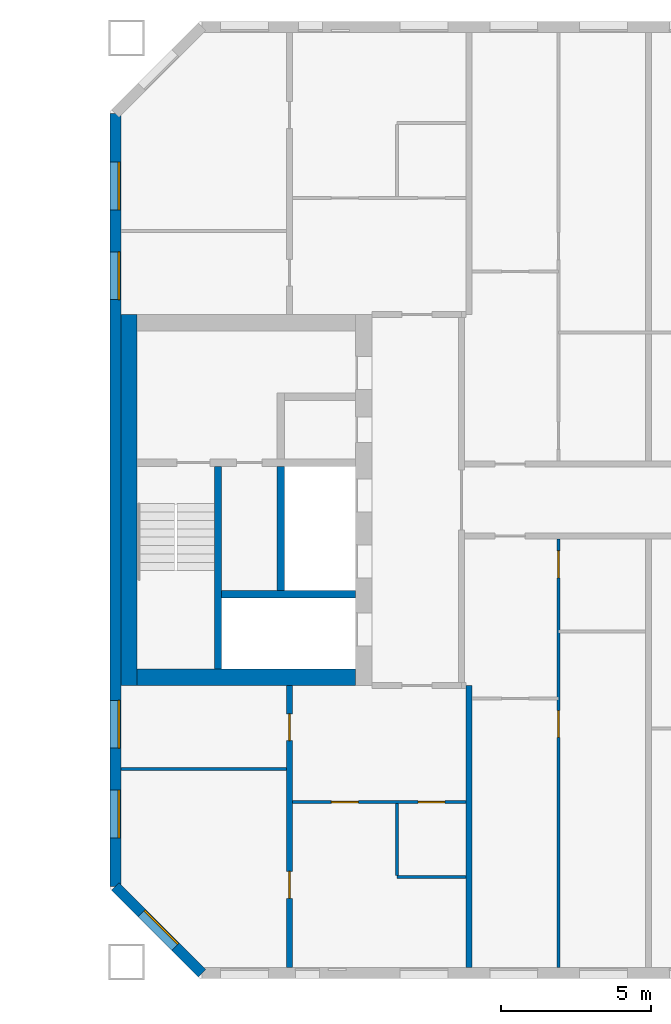
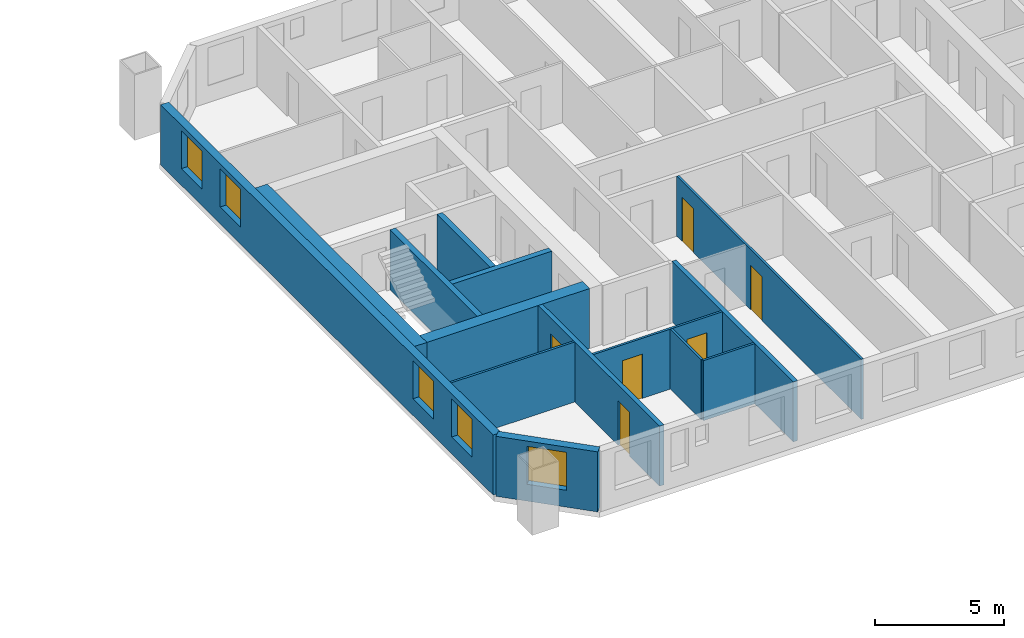
# One storey, part 9 of 17: 14 walls, 6 doors, 5 windows, 11 openings.
"""IFC4 building model written with IfcOpenShell, lengths in metres."""

from ifc_helpers import new_model, si_unit, direction, frame, frame_2d, origin, place, context, subcontext, project, spatial, rectangle, extrude, material, layer, layer_set, type_object, element, fill, save


model = new_model("IFC4")

# Units and contexts
model_context = context("Model", 3, precision=1e-05, world=origin(), true_north=direction((0.0, 1.0)))
body_context = subcontext(model_context, "Body", "Model", "MODEL_VIEW")
ifc_project = project(units=[si_unit("LENGTHUNIT", "METRE"), si_unit("AREAUNIT", "SQUARE_METRE"), si_unit("VOLUMEUNIT", "CUBIC_METRE"), si_unit("PLANEANGLEUNIT", "RADIAN"), si_unit("MASSUNIT", "GRAM", prefix="KILO")], contexts=[model_context])

# Site, building, storey
site_placement = place(None, origin())
site = spatial("IfcSite", under=ifc_project, at=site_placement, CompositionType="ELEMENT")
building_placement = place(site_placement, origin())
building = spatial("IfcBuilding", under=site, at=building_placement, Name="Tuart Gate Housing", CompositionType="ELEMENT")
storey_placement = place(building_placement, frame((0.0, 0.0, 126.800048828125)))
storey = spatial("IfcBuildingStorey", under=building, at=storey_placement, Name="L35", CompositionType="ELEMENT", Elevation=126.800048828125)

# Wall, opening, window
ifc_material_1 = material(Name="Brick", Category="masonry")
ifc_layer_1 = layer(ifc_material_1, 0.360107421875)
ifc_layer_set_1 = layer_set([ifc_layer_1], Name="Brick pier and spandrel wall 360")
wall_type_1 = type_object("IfcWallType", Name="Brick pier and spandrel wall 360", PredefinedType="STANDARD", material=ifc_layer_set_1)
wall_1_placement = place(storey_placement, frame((131.179931640625, 57.07470703125, 0.0), z_axis=(0.0, 0.0, 1.0), x_axis=(0.707106781187, -0.707106781187, 0.0)))
wall_1 = element("IfcWall", 1, at=wall_1_placement, inside=storey, type_object=wall_type_1, Name="External wall B-SW L35", PredefinedType="STANDARD", context=body_context, shape_type="SweptSolid", body=[
    extrude(rectangle(XDim=4.09375, YDim=0.360107421875, at=frame_2d((2.046875, 0.0))), origin(), (0.0, 0.0, 1.0), 2.849853515625),
])
opening_1_placement = place(wall_1_placement, frame((1.2470703125, 0.0, 0.800048828125)))
opening_1 = element("IfcOpeningElement", 2, at=opening_1_placement, cuts=wall_1, Name="Opening W1", PredefinedType="OPENING", context=body_context, shape_type="SweptSolid", body=[
    extrude(rectangle(XDim=1.60009765625, YDim=1.800048828125, at=frame_2d((0.800048828125, 0.89990234375))), frame((0.0, 0.18994140625, 0.0), z_axis=(0.0, -1.0, 0.0), x_axis=(1.0, 0.0, 0.0)), (0.0, 0.0, 1.0), 0.380126953125),
])
ifc_material_2 = material(Name="Aluminium frame with clear glass", Category="aluminium")
window_type = type_object("IfcWindowType", Name="Punched window 1600 x 1800", PartitioningType="SINGLE_PANEL", PredefinedType="WINDOW", material=ifc_material_2)
window_1_placement = place(opening_1_placement, origin())
window_1 = element("IfcWindow", 3, at=window_1_placement, inside=storey, type_object=window_type, Name="Window W1", OverallHeight=1.800048828125, OverallWidth=1.60009765625, PartitioningType="SINGLE_PANEL", PredefinedType="WINDOW", context=body_context, shape_type="SweptSolid", body=[
    extrude(rectangle(XDim=1.60009765625, YDim=1.800048828125, at=frame_2d((0.800048828125, 0.89990234375))), frame((0.0, 0.150146484375, 0.0), z_axis=(0.0, -1.0, 0.0), x_axis=(1.0, 0.0, 0.0)), (0.0, 0.0, 1.0), 0.06005859375),
])
fill(opening_1, window_1)

# Wall, openings, windows
wall_2_placement = place(storey_placement, frame((131.179931640625, 82.92529296875, 0.0), z_axis=(0.0, 0.0, 1.0), x_axis=(0.0, -1.0, 0.0)))
wall_2 = element("IfcWall", 4, at=wall_2_placement, inside=storey, type_object=wall_type_1, Name="External wall B-W L35", PredefinedType="STANDARD", context=body_context, shape_type="SweptSolid", body=[
    extrude(rectangle(XDim=25.850830078125, YDim=0.360107421875, at=frame_2d((12.92529296875, 0.0))), origin(), (0.0, 0.0, 1.0), 2.849853515625),
])
opening_2_placement = place(wall_2_placement, frame((1.62548828125, 0.0, 0.800048828125)))
opening_2 = element("IfcOpeningElement", 5, at=opening_2_placement, cuts=wall_2, Name="Opening W1", PredefinedType="OPENING", context=body_context, shape_type="SweptSolid", body=[
    extrude(rectangle(XDim=1.60009765625, YDim=1.800048828125, at=frame_2d((0.800048828125, 0.89990234375))), frame((0.0, 0.18994140625, 0.0), z_axis=(0.0, -1.0, 0.0), x_axis=(1.0, 0.0, 0.0)), (0.0, 0.0, 1.0), 0.380126953125),
])
opening_3_placement = place(wall_2_placement, frame((4.62548828125, 0.0, 0.800048828125)))
opening_3 = element("IfcOpeningElement", 6, at=opening_3_placement, cuts=wall_2, Name="Opening W1", PredefinedType="OPENING", context=body_context, shape_type="SweptSolid", body=[
    extrude(rectangle(XDim=1.60009765625, YDim=1.800048828125, at=frame_2d((0.800048828125, 0.89990234375))), frame((0.0, 0.18994140625, 0.0), z_axis=(0.0, -1.0, 0.0), x_axis=(1.0, 0.0, 0.0)), (0.0, 0.0, 1.0), 0.380126953125),
])
opening_4_placement = place(wall_2_placement, frame((19.62548828125, 0.0, 0.800048828125)))
opening_4 = element("IfcOpeningElement", 7, at=opening_4_placement, cuts=wall_2, Name="Opening W1", PredefinedType="OPENING", context=body_context, shape_type="SweptSolid", body=[
    extrude(rectangle(XDim=1.60009765625, YDim=1.800048828125, at=frame_2d((0.800048828125, 0.89990234375))), frame((0.0, 0.18994140625, 0.0), z_axis=(0.0, -1.0, 0.0), x_axis=(1.0, 0.0, 0.0)), (0.0, 0.0, 1.0), 0.380126953125),
])
opening_5_placement = place(wall_2_placement, frame((22.62548828125, 0.0, 0.800048828125)))
opening_5 = element("IfcOpeningElement", 8, at=opening_5_placement, cuts=wall_2, Name="Opening W1", PredefinedType="OPENING", context=body_context, shape_type="SweptSolid", body=[
    extrude(rectangle(XDim=1.60009765625, YDim=1.800048828125, at=frame_2d((0.800048828125, 0.89990234375))), frame((0.0, 0.18994140625, 0.0), z_axis=(0.0, -1.0, 0.0), x_axis=(1.0, 0.0, 0.0)), (0.0, 0.0, 1.0), 0.380126953125),
])
window_2_placement = place(opening_2_placement, origin())
window_2 = element("IfcWindow", 9, at=window_2_placement, inside=storey, type_object=window_type, Name="Window W1", OverallHeight=1.800048828125, OverallWidth=1.60009765625, PartitioningType="SINGLE_PANEL", PredefinedType="WINDOW", context=body_context, shape_type="SweptSolid", body=[
    extrude(rectangle(XDim=1.60009765625, YDim=1.800048828125, at=frame_2d((0.800048828125, 0.89990234375))), frame((0.0, 0.150146484375, 0.0), z_axis=(0.0, -1.0, 0.0), x_axis=(1.0, 0.0, 0.0)), (0.0, 0.0, 1.0), 0.06005859375),
])
fill(opening_2, window_2)
window_3_placement = place(opening_3_placement, origin())
window_3 = element("IfcWindow", 10, at=window_3_placement, inside=storey, type_object=window_type, Name="Window W1", OverallHeight=1.800048828125, OverallWidth=1.60009765625, PartitioningType="SINGLE_PANEL", PredefinedType="WINDOW", context=body_context, shape_type="SweptSolid", body=[
    extrude(rectangle(XDim=1.60009765625, YDim=1.800048828125, at=frame_2d((0.800048828125, 0.89990234375))), frame((0.0, 0.150146484375, 0.0), z_axis=(0.0, -1.0, 0.0), x_axis=(1.0, 0.0, 0.0)), (0.0, 0.0, 1.0), 0.06005859375),
])
fill(opening_3, window_3)
window_4_placement = place(opening_4_placement, origin())
window_4 = element("IfcWindow", 11, at=window_4_placement, inside=storey, type_object=window_type, Name="Window W1", OverallHeight=1.800048828125, OverallWidth=1.60009765625, PartitioningType="SINGLE_PANEL", PredefinedType="WINDOW", context=body_context, shape_type="SweptSolid", body=[
    extrude(rectangle(XDim=1.60009765625, YDim=1.800048828125, at=frame_2d((0.800048828125, 0.89990234375))), frame((0.0, 0.150146484375, 0.0), z_axis=(0.0, -1.0, 0.0), x_axis=(1.0, 0.0, 0.0)), (0.0, 0.0, 1.0), 0.06005859375),
])
fill(opening_4, window_4)
window_5_placement = place(opening_5_placement, origin())
window_5 = element("IfcWindow", 12, at=window_5_placement, inside=storey, type_object=window_type, Name="Window W1", OverallHeight=1.800048828125, OverallWidth=1.60009765625, PartitioningType="SINGLE_PANEL", PredefinedType="WINDOW", context=body_context, shape_type="SweptSolid", body=[
    extrude(rectangle(XDim=1.60009765625, YDim=1.800048828125, at=frame_2d((0.800048828125, 0.89990234375))), frame((0.0, 0.150146484375, 0.0), z_axis=(0.0, -1.0, 0.0), x_axis=(1.0, 0.0, 0.0)), (0.0, 0.0, 1.0), 0.06005859375),
])
fill(opening_5, window_5)

# Walls
ifc_material_3 = material(Name="Concrete C50", Category="concrete")
ifc_layer_2 = layer(ifc_material_3, 0.25)
ifc_layer_set_2 = layer_set([ifc_layer_2], Name="Core wall 250 C50")
wall_type_2 = type_object("IfcWallType", Name="Core wall 250 C50", PredefinedType="SHEAR", material=ifc_layer_set_2)
wall_3_placement = place(storey_placement, frame((139.2099609375, 66.85009765625, 0.0), z_axis=(0.0, 0.0, 1.0), x_axis=(-1.0, 0.0, 0.0)))
element("IfcWall", 13, at=wall_3_placement, inside=storey, type_object=wall_type_2, Name="Core wall BG.1", PredefinedType="SHEAR", context=body_context, shape_type="SweptSolid", body=[
    extrude(rectangle(XDim=4.474853515625, YDim=0.25, at=frame_2d((2.2373046875, 0.0))), origin(), (0.0, 0.0, 1.0), 2.849853515625),
])
wall_4_placement = place(storey_placement, frame((136.7099609375, 66.97509765625, 0.0), z_axis=(0.0, 0.0, 1.0), x_axis=(0.0, 1.0, 0.0)))
element("IfcWall", 14, at=wall_4_placement, inside=storey, type_object=wall_type_2, Name="Core wall BG.4", PredefinedType="SHEAR", context=body_context, shape_type="SweptSolid", body=[
    extrude(rectangle(XDim=4.14990234375, YDim=0.25, at=frame_2d((2.074951171875, 0.0))), origin(), (0.0, 0.0, 1.0), 2.849853515625),
])
wall_5_placement = place(storey_placement, frame((134.610107421875, 64.35009765625, 0.0), z_axis=(0.0, 0.0, 1.0), x_axis=(0.0, 1.0, 0.0)))
element("IfcWall", 15, at=wall_5_placement, inside=storey, type_object=wall_type_2, Name="Core wall BG.6", PredefinedType="SHEAR", context=body_context, shape_type="SweptSolid", body=[
    extrude(rectangle(XDim=6.77490234375, YDim=0.25, at=frame_2d((3.387451171875, 0.0))), origin(), (0.0, 0.0, 1.0), 2.849853515625),
])
ifc_material_4 = material(Name="Concrete C50", Category="concrete")
ifc_layer_3 = layer(ifc_material_4, 0.550048828125)
ifc_layer_set_3 = layer_set([ifc_layer_3], Name="Core wall 550 C50")
wall_type_3 = type_object("IfcWallType", Name="Core wall 550 C50", PredefinedType="SHEAR", material=ifc_layer_set_3)
wall_6_placement = place(storey_placement, frame((131.635009765625, 63.800048828125, 0.0), z_axis=(0.0, 0.0, 1.0), x_axis=(0.0, 1.0, 0.0)))
element("IfcWall", 16, at=wall_6_placement, inside=storey, type_object=wall_type_3, Name="Core wall BG back", PredefinedType="SHEAR", context=body_context, shape_type="SweptSolid", body=[
    extrude(rectangle(XDim=12.39990234375, YDim=0.550048828125, at=frame_2d((6.199951171875, 0.0))), origin(), (0.0, 0.0, 1.0), 2.849853515625),
])
wall_7_placement = place(storey_placement, frame((139.2099609375, 64.074951171875, 0.0), z_axis=(0.0, 0.0, 1.0), x_axis=(-1.0, 0.0, 0.0)))
element("IfcWall", 17, at=wall_7_placement, inside=storey, type_object=wall_type_3, Name="Core wall BG south", PredefinedType="SHEAR", context=body_context, shape_type="SweptSolid", body=[
    extrude(rectangle(XDim=7.300048828125, YDim=0.550048828125, at=frame_2d((3.64990234375, 0.0))), origin(), (0.0, 0.0, 1.0), 2.849853515625),
])
ifc_material_5 = material(Name="Gypsum board on steel studs", Category="steel")
ifc_layer_4 = layer(ifc_material_5, 0.10009765625)
ifc_layer_set_4 = layer_set([ifc_layer_4], Name="Partition 100")
wall_type_4 = type_object("IfcWallType", Name="Partition 100", PredefinedType="PARTITIONING", material=ifc_layer_set_4)
wall_8_placement = place(storey_placement, frame((140.60009765625, 57.39990234375, 0.0), z_axis=(0.0, 0.0, 1.0), x_axis=(1.0, 0.0, 0.0)))
element("IfcWall", 18, at=wall_8_placement, inside=storey, type_object=wall_type_4, Name="Partition 100", PredefinedType="PARTITIONING", context=body_context, shape_type="SweptSolid", body=[
    extrude(rectangle(XDim=2.2998046875, YDim=0.10009765625, at=frame_2d((1.14990234375, 0.0))), origin(), (0.0, 0.0, 1.0), 2.849853515625),
])

# Wall, openings, doors
wall_9_placement = place(storey_placement, frame((137.10009765625, 59.89990234375, 0.0), z_axis=(0.0, 0.0, 1.0), x_axis=(1.0, 0.0, 0.0)))
wall_9 = element("IfcWall", 19, at=wall_9_placement, inside=storey, type_object=wall_type_4, Name="Partition 100", PredefinedType="PARTITIONING", context=body_context, shape_type="SweptSolid", body=[
    extrude(rectangle(XDim=5.7998046875, YDim=0.10009765625, at=frame_2d((2.89990234375, 0.0))), origin(), (0.0, 0.0, 1.0), 2.849853515625),
])
opening_6_placement = place(wall_9_placement, frame((1.300048828125, 0.0, 0.0)))
opening_6 = element("IfcOpeningElement", 20, at=opening_6_placement, cuts=wall_9, Name="Opening D1396", PredefinedType="OPENING", context=body_context, shape_type="SweptSolid", body=[
    extrude(rectangle(XDim=0.89990234375, YDim=2.10009765625, at=frame_2d((0.449951171875, 1.050048828125))), frame((0.0, 0.06005859375, 0.0), z_axis=(0.0, -1.0, 0.0), x_axis=(1.0, 0.0, 0.0)), (0.0, 0.0, 1.0), 0.1201171875),
])
opening_7_placement = place(wall_9_placement, frame((4.199951171875, 0.0, 0.0)))
opening_7 = element("IfcOpeningElement", 21, at=opening_7_placement, cuts=wall_9, Name="Opening D1395", PredefinedType="OPENING", context=body_context, shape_type="SweptSolid", body=[
    extrude(rectangle(XDim=0.89990234375, YDim=2.10009765625, at=frame_2d((0.449951171875, 1.050048828125))), frame((0.0, 0.06005859375, 0.0), z_axis=(0.0, -1.0, 0.0), x_axis=(1.0, 0.0, 0.0)), (0.0, 0.0, 1.0), 0.1201171875),
])
ifc_material_6 = material(Name="Timber door leaf in steel frame", Category="steel")
door_type_1 = type_object("IfcDoorType", Name="Bathroom door 900 RH", OperationType="SINGLE_SWING_RIGHT", PredefinedType="DOOR", material=ifc_material_6)
door_1_placement = place(opening_7_placement, frame((0.89990234375, 0.0, 0.0), z_axis=(0.0, 0.0, 1.0), x_axis=(-1.0, 0.0, 0.0)))
door_1 = element("IfcDoor", 22, at=door_1_placement, inside=storey, type_object=door_type_1, Name="Bathroom door", OperationType="SINGLE_SWING_RIGHT", OverallHeight=2.10009765625, OverallWidth=0.89990234375, PredefinedType="DOOR", context=body_context, shape_type="SweptSolid", body=[
    extrude(rectangle(XDim=0.89990234375, YDim=2.10009765625, at=frame_2d((0.449951171875, 1.050048828125))), frame((0.0, 0.025146484375, 0.0), z_axis=(0.0, -1.0, 0.0), x_axis=(1.0, 0.0, 0.0)), (0.0, 0.0, 1.0), 0.050048828125),
])
fill(opening_7, door_1)
ifc_material_7 = material(Name="Timber door leaf in steel frame", Category="steel")
door_type_2 = type_object("IfcDoorType", Name="Internal door 900", OperationType="SINGLE_SWING_LEFT", PredefinedType="DOOR", material=ifc_material_7)
door_2_placement = place(opening_6_placement, origin())
door_2 = element("IfcDoor", 23, at=door_2_placement, inside=storey, type_object=door_type_2, Name="Internal door", OperationType="SINGLE_SWING_LEFT", OverallHeight=2.10009765625, OverallWidth=0.89990234375, PredefinedType="DOOR", context=body_context, shape_type="SweptSolid", body=[
    extrude(rectangle(XDim=0.89990234375, YDim=2.10009765625, at=frame_2d((0.449951171875, 1.050048828125))), frame((0.0, 0.02490234375, 0.0), z_axis=(0.0, -1.0, 0.0), x_axis=(1.0, 0.0, 0.0)), (0.0, 0.0, 1.0), 0.050048828125),
])
fill(opening_6, door_2)

# Walls
wall_10_placement = place(storey_placement, frame((131.360107421875, 61.0, 0.0), z_axis=(0.0, 0.0, 1.0), x_axis=(1.0, 0.0, 0.0)))
element("IfcWall", 24, at=wall_10_placement, inside=storey, type_object=wall_type_4, Name="Partition 100", PredefinedType="PARTITIONING", context=body_context, shape_type="SweptSolid", body=[
    extrude(rectangle(XDim=5.539794921875, YDim=0.10009765625, at=frame_2d((2.77001953125, 0.0))), origin(), (0.0, 0.0, 1.0), 2.849853515625),
])
wall_11_placement = place(storey_placement, frame((140.60009765625, 57.449951171875, 0.0), z_axis=(0.0, 0.0, 1.0), x_axis=(0.0, 1.0, 0.0)))
element("IfcWall", 25, at=wall_11_placement, inside=storey, type_object=wall_type_4, Name="Partition 100", PredefinedType="PARTITIONING", context=body_context, shape_type="SweptSolid", body=[
    extrude(rectangle(XDim=2.400146484375, YDim=0.10009765625, at=frame_2d((1.2001953125, 0.0))), origin(), (0.0, 0.0, 1.0), 2.849853515625),
])

# Wall, openings, doors
wall_12_placement = place(storey_placement, frame((146.0, 54.360107421875, 0.0), z_axis=(0.0, 0.0, 1.0), x_axis=(0.0, 1.0, 0.0)))
wall_12 = element("IfcWall", 26, at=wall_12_placement, inside=storey, type_object=wall_type_4, Name="Partition 100", PredefinedType="PARTITIONING", context=body_context, shape_type="SweptSolid", body=[
    extrude(rectangle(XDim=14.33984375, YDim=0.10009765625, at=frame_2d((7.169921875, 0.0))), origin(), (0.0, 0.0, 1.0), 2.849853515625),
])
opening_8_placement = place(wall_12_placement, frame((7.699951171875, 0.0, 0.0)))
opening_8 = element("IfcOpeningElement", 27, at=opening_8_placement, cuts=wall_12, Name="Opening D1390", PredefinedType="OPENING", context=body_context, shape_type="SweptSolid", body=[
    extrude(rectangle(XDim=0.89990234375, YDim=2.10009765625, at=frame_2d((0.449951171875, 1.050048828125))), frame((0.0, 0.06005859375, 0.0), z_axis=(0.0, -1.0, 0.0), x_axis=(1.0, 0.0, 0.0)), (0.0, 0.0, 1.0), 0.1201171875),
])
opening_9_placement = place(wall_12_placement, frame((13.0400390625, 0.0, 0.0)))
opening_9 = element("IfcOpeningElement", 28, at=opening_9_placement, cuts=wall_12, Name="Opening D1389", PredefinedType="OPENING", context=body_context, shape_type="SweptSolid", body=[
    extrude(rectangle(XDim=0.89990234375, YDim=2.10009765625, at=frame_2d((0.449951171875, 1.050048828125))), frame((0.0, 0.06005859375, 0.0), z_axis=(0.0, -1.0, 0.0), x_axis=(1.0, 0.0, 0.0)), (0.0, 0.0, 1.0), 0.1201171875),
])
ifc_material_8 = material(Name="Timber door leaf in steel frame", Category="steel")
door_type_3 = type_object("IfcDoorType", Name="Bathroom door 900", OperationType="SINGLE_SWING_LEFT", PredefinedType="DOOR", material=ifc_material_8)
door_3_placement = place(opening_9_placement, frame((0.89990234375, 0.0, 0.0), z_axis=(0.0, 0.0, 1.0), x_axis=(-1.0, 0.0, 0.0)))
door_3 = element("IfcDoor", 29, at=door_3_placement, inside=storey, type_object=door_type_3, Name="Bathroom door", OperationType="SINGLE_SWING_LEFT", OverallHeight=2.10009765625, OverallWidth=0.89990234375, PredefinedType="DOOR", context=body_context, shape_type="SweptSolid", body=[
    extrude(rectangle(XDim=0.89990234375, YDim=2.10009765625, at=frame_2d((0.449951171875, 1.050048828125))), frame((0.0, 0.025146484375, 0.0), z_axis=(0.0, -1.0, 0.0), x_axis=(1.0, 0.0, 0.0)), (0.0, 0.0, 1.0), 0.050048828125),
])
fill(opening_9, door_3)
door_4_placement = place(opening_8_placement, frame((0.89990234375, 0.0, 0.0), z_axis=(0.0, 0.0, 1.0), x_axis=(-1.0, 0.0, 0.0)))
door_4 = element("IfcDoor", 30, at=door_4_placement, inside=storey, type_object=door_type_2, Name="Internal door", OperationType="SINGLE_SWING_LEFT", OverallHeight=2.10009765625, OverallWidth=0.89990234375, PredefinedType="DOOR", context=body_context, shape_type="SweptSolid", body=[
    extrude(rectangle(XDim=0.89990234375, YDim=2.10009765625, at=frame_2d((0.449951171875, 1.050048828125))), frame((0.0, 0.025146484375, 0.0), z_axis=(0.0, -1.0, 0.0), x_axis=(1.0, 0.0, 0.0)), (0.0, 0.0, 1.0), 0.050048828125),
])
fill(opening_8, door_4)

ifc_material_9 = material(Name="Concrete C40", Category="concrete")
ifc_layer_5 = layer(ifc_material_9, 0.199951171875)
ifc_layer_set_5 = layer_set([ifc_layer_5], Name="Party wall concrete C40 200")
wall_type_5 = type_object("IfcWallType", Name="Party wall concrete C40 200", PredefinedType="SOLIDWALL", material=ifc_layer_set_5)
wall_13_placement = place(storey_placement, frame((137.0, 54.360107421875, 0.0), z_axis=(0.0, 0.0, 1.0), x_axis=(0.0, 1.0, 0.0)))
wall_13 = element("IfcWall", 31, at=wall_13_placement, inside=storey, type_object=wall_type_5, Name="Party wall concrete C40 200", PredefinedType="SOLIDWALL", context=body_context, shape_type="SweptSolid", body=[
    extrude(rectangle(XDim=9.43994140625, YDim=0.199951171875, at=frame_2d((4.719970703125, 0.0))), origin(), (0.0, 0.0, 1.0), 2.849853515625),
])
opening_10_placement = place(wall_13_placement, frame((2.320068359375, 0.0, 0.0)))
opening_10 = element("IfcOpeningElement", 32, at=opening_10_placement, cuts=wall_13, Name="Opening D1398", PredefinedType="OPENING", context=body_context, shape_type="SweptSolid", body=[
    extrude(rectangle(XDim=0.89990234375, YDim=2.10009765625, at=frame_2d((0.449951171875, 1.050048828125))), frame((0.0, 0.10986328125, 0.0), z_axis=(0.0, -1.0, 0.0), x_axis=(1.0, 0.0, 0.0)), (0.0, 0.0, 1.0), 0.219970703125),
])
opening_11_placement = place(wall_13_placement, frame((7.590087890625, 0.0, 0.0)))
opening_11 = element("IfcOpeningElement", 33, at=opening_11_placement, cuts=wall_13, Name="Opening D1399", PredefinedType="OPENING", context=body_context, shape_type="SweptSolid", body=[
    extrude(rectangle(XDim=0.89990234375, YDim=2.10009765625, at=frame_2d((0.449951171875, 1.050048828125))), frame((0.0, 0.10986328125, 0.0), z_axis=(0.0, -1.0, 0.0), x_axis=(1.0, 0.0, 0.0)), (0.0, 0.0, 1.0), 0.219970703125),
])
door_5_placement = place(opening_10_placement, origin())
door_5 = element("IfcDoor", 34, at=door_5_placement, inside=storey, type_object=door_type_2, Name="Internal door", OperationType="SINGLE_SWING_LEFT", OverallHeight=2.10009765625, OverallWidth=0.89990234375, PredefinedType="DOOR", context=body_context, shape_type="SweptSolid", body=[
    extrude(rectangle(XDim=0.89990234375, YDim=2.10009765625, at=frame_2d((0.449951171875, 1.050048828125))), frame((0.0, 0.02490234375, 0.0), z_axis=(0.0, -1.0, 0.0), x_axis=(1.0, 0.0, 0.0)), (0.0, 0.0, 1.0), 0.050048828125),
])
fill(opening_10, door_5)
door_6_placement = place(opening_11_placement, origin())
door_6 = element("IfcDoor", 35, at=door_6_placement, inside=storey, type_object=door_type_2, Name="Internal door", OperationType="SINGLE_SWING_LEFT", OverallHeight=2.10009765625, OverallWidth=0.89990234375, PredefinedType="DOOR", context=body_context, shape_type="SweptSolid", body=[
    extrude(rectangle(XDim=0.89990234375, YDim=2.10009765625, at=frame_2d((0.449951171875, 1.050048828125))), frame((0.0, 0.02490234375, 0.0), z_axis=(0.0, -1.0, 0.0), x_axis=(1.0, 0.0, 0.0)), (0.0, 0.0, 1.0), 0.050048828125),
])
fill(opening_11, door_6)

# Wall
wall_14_placement = place(storey_placement, frame((143.0, 54.360107421875, 0.0), z_axis=(0.0, 0.0, 1.0), x_axis=(0.0, 1.0, 0.0)))
element("IfcWall", 36, at=wall_14_placement, inside=storey, type_object=wall_type_5, Name="Party wall concrete C40 200", PredefinedType="SOLIDWALL", context=body_context, shape_type="SweptSolid", body=[
    extrude(rectangle(XDim=9.43994140625, YDim=0.199951171875, at=frame_2d((4.719970703125, 0.0))), origin(), (0.0, 0.0, 1.0), 2.849853515625),
])

save(model, "model.ifc")
